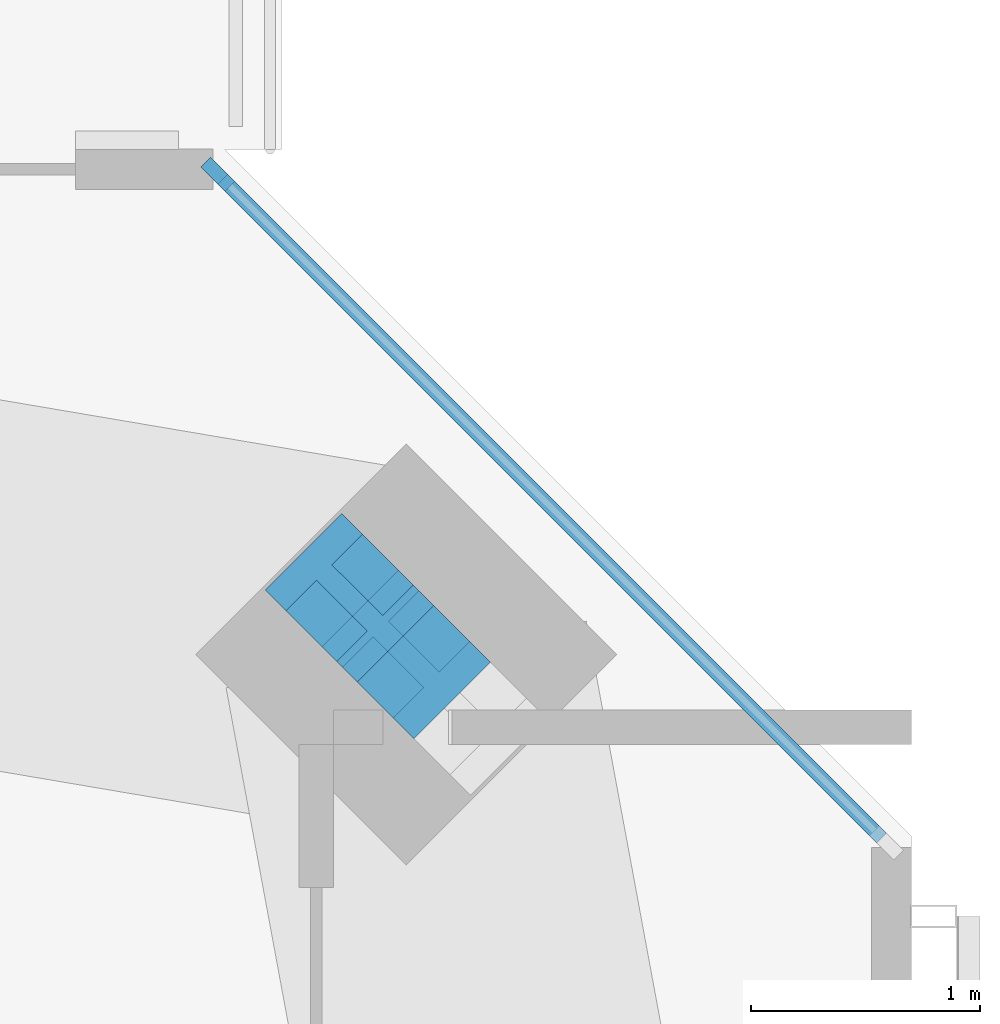
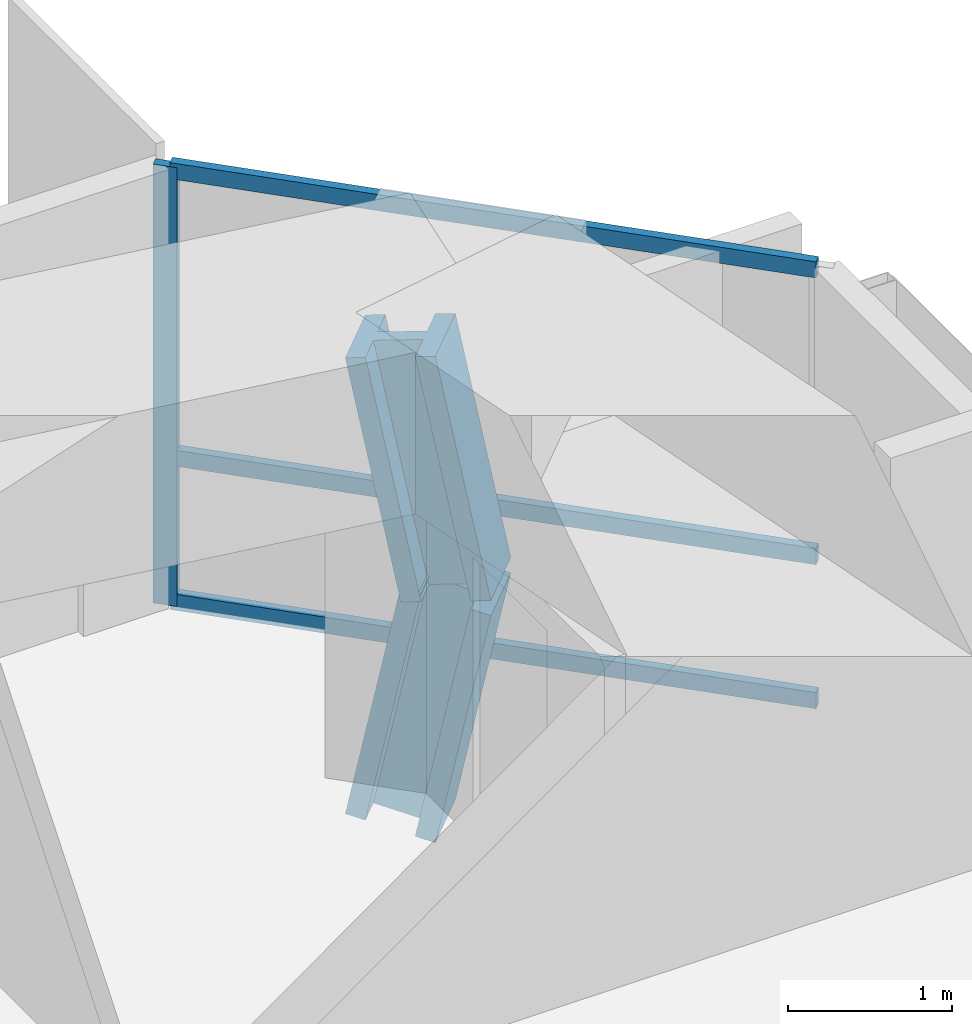
# One storey, part 12 of 20: 6 members, 1 element without a shape of its own.
"""IFC4 building model written with IfcOpenShell, lengths in metres."""

from ifc_helpers import new_model, si_unit, direction, frame, origin, origin_2d, place, context, subcontext, project, spatial, rectangle, i_section, extrude, material, material_profile, profile_set, type_object, element, aggregate, save


model = new_model("IFC4")

# Units and contexts
model_context = context("Model", 3, precision=1e-05, world=origin(), true_north=direction((0.0, 1.0)))
body_context = subcontext(model_context, "Body", "Model", "MODEL_VIEW")
ifc_project = project(units=[si_unit("LENGTHUNIT", "METRE"), si_unit("AREAUNIT", "SQUARE_METRE"), si_unit("VOLUMEUNIT", "CUBIC_METRE"), si_unit("PLANEANGLEUNIT", "RADIAN"), si_unit("MASSUNIT", "GRAM", prefix="KILO")], contexts=[model_context])

# Site, building, storey
site_placement = place(None, origin())
site = spatial("IfcSite", under=ifc_project, at=site_placement, CompositionType="ELEMENT")
building_placement = place(site_placement, origin())
building = spatial("IfcBuilding", under=site, at=building_placement, Name="Jalousie Tower", CompositionType="ELEMENT")
storey_placement = place(building_placement, frame((0.0, 0.0, 238.949951171875)))
storey = spatial("IfcBuildingStorey", under=building, at=storey_placement, Name="L65", CompositionType="ELEMENT", Elevation=238.949951171875)

# Curtain wall, members
ifc_material_1 = material(Name="Aluminium curtain wall", Category="aluminium")
curtain_wall_type = type_object("IfcCurtainWallType", Name="CORNER WINDOW WALL", PredefinedType="USERDEFINED", material=ifc_material_1)
curtain_wall_placement = place(storey_placement, origin())
curtain_wall = element("IfcCurtainWall", 1, at=curtain_wall_placement, inside=storey, type_object=curtain_wall_type, Name="Corner Window Wall L65 4", ObjectType="CORNER WINDOW WALL", PredefinedType="USERDEFINED")
ifc_material_2 = material(Name="Aluminium mullion", Category="aluminium")
ifc_material_profile_1 = material_profile(ifc_material_2, rectangle(XDim=0.06005859375, YDim=0.14990234375, at=origin_2d()), Name="MULLION 60x150")
ifc_profile_set_1 = profile_set([ifc_material_profile_1], Name="Aluminium mullion")
member_type_1 = type_object("IfcMemberType", Name="CORNER WINDOW WALL MULLION", PredefinedType="MULLION", material=ifc_profile_set_1)
member_1_placement = place(storey_placement, frame((53.469970703125, 33.891357421875, 0.0), z_axis=(0.0, 0.0, 1.0), x_axis=(-0.707106781187, -0.707106781187, 0.0)))
member_1 = element("IfcMember", 2, at=member_1_placement, type_object=member_type_1, Name="CW-C mullion 2", PredefinedType="MULLION", context=body_context, shape_type="SweptSolid", body=[
    extrude(rectangle(XDim=0.06005859375, YDim=0.14990234375, at=origin_2d()), origin(), (0.0, 0.0, 1.0), 3.260009765625),
])
ifc_material_3 = material(Name="Aluminium transom", Category="aluminium")
ifc_material_profile_2 = material_profile(ifc_material_3, rectangle(XDim=0.06005859375, YDim=0.1201171875, at=origin_2d()), Name="TRANSOM 60x120")
ifc_profile_set_2 = profile_set([ifc_material_profile_2], Name="Aluminium transom")
member_type_2 = type_object("IfcMemberType", Name="CORNER WINDOW WALL TRANSOM", PredefinedType="USERDEFINED", material=ifc_profile_set_2)
member_2_placement = place(storey_placement, frame((56.3701171875, 30.9912109375, 0.030029296875), z_axis=(-0.707106781187, 0.707106781187, 0.0), x_axis=(-0.707106781187, -0.707106781187, 0.0)))
member_2 = element("IfcMember", 3, at=member_2_placement, type_object=member_type_2, Name="CW-C transom 1.1", ObjectType="TRANSOM", PredefinedType="USERDEFINED", context=body_context, shape_type="SweptSolid", body=[
    extrude(rectangle(XDim=0.06005859375, YDim=0.1201171875, at=origin_2d()), origin(), (0.0, 0.0, 1.0), 4.0712890625),
])
member_3_placement = place(storey_placement, frame((56.3701171875, 30.9912109375, 1.10009765625), z_axis=(-0.707106781187, 0.707106781187, 0.0), x_axis=(-0.707106781187, -0.707106781187, 0.0)))
member_3 = element("IfcMember", 4, at=member_3_placement, type_object=member_type_2, Name="CW-C transom 1.2", ObjectType="TRANSOM", PredefinedType="USERDEFINED", context=body_context, shape_type="SweptSolid", body=[
    extrude(rectangle(XDim=0.06005859375, YDim=0.1201171875, at=origin_2d()), origin(), (0.0, 0.0, 1.0), 4.0712890625),
])
member_4_placement = place(storey_placement, frame((56.3701171875, 30.9912109375, 3.22998046875), z_axis=(-0.707106781187, 0.707106781187, 0.0), x_axis=(-0.707106781187, -0.707106781187, 0.0)))
member_4 = element("IfcMember", 5, at=member_4_placement, type_object=member_type_2, Name="CW-C transom 1.3", ObjectType="TRANSOM", PredefinedType="USERDEFINED", context=body_context, shape_type="SweptSolid", body=[
    extrude(rectangle(XDim=0.06005859375, YDim=0.1201171875, at=origin_2d()), origin(), (0.0, 0.0, 1.0), 4.0712890625),
])
aggregate(curtain_wall, [member_1, member_2, member_3, member_4])

# Members
ifc_material_4 = material(Name="Steel ASTM A992 Grade 50", Category="steel")
ifc_material_profile_3 = material_profile(ifc_material_4, i_section(OverallWidth=0.472412109375, OverallDepth=0.5791015625, WebThickness=0.094970703125, FlangeThickness=0.1298828125, at=origin_2d()), Name="W14X808")
ifc_profile_set_3 = profile_set([ifc_material_profile_3], Name="Steel ASTM A992 Grade 50")
member_type_3 = type_object("IfcMemberType", Name="PERIMETER BRACE W14X808", PredefinedType="BRACE", material=ifc_profile_set_3)
for number, where, z_axis, x_axis, name in (
    (6, (54.29296875, 31.79296875, 1.150146484375), (-0.138716051522, 0.138579250682, 0.980588419435), (-0.706757851183, -0.707455539091, 0.0), "Perimeter brace 08 L65 part 2"),
    (7, (54.04541015625, 32.040283203125, -0.599853515625), (0.138716051522, -0.138579250682, 0.980588419435), (0.706757851183, 0.707455539091, 0.0), "Perimeter brace 08 L65 part 3"),
):
    element("IfcMember", number, at=place(storey_placement, frame(where, z_axis=z_axis, x_axis=x_axis)), inside=storey, type_object=member_type_3, Name=name, PredefinedType="BRACE", context=body_context, shape_type="SweptSolid", body=[
        extrude(i_section(OverallWidth=0.472412109375, OverallDepth=0.5791015625, WebThickness=0.094970703125, FlangeThickness=0.1298828125, at=origin_2d()), origin(), (0.0, 0.0, 1.0), 1.78466796875),
    ])

save(model, "model.ifc")
